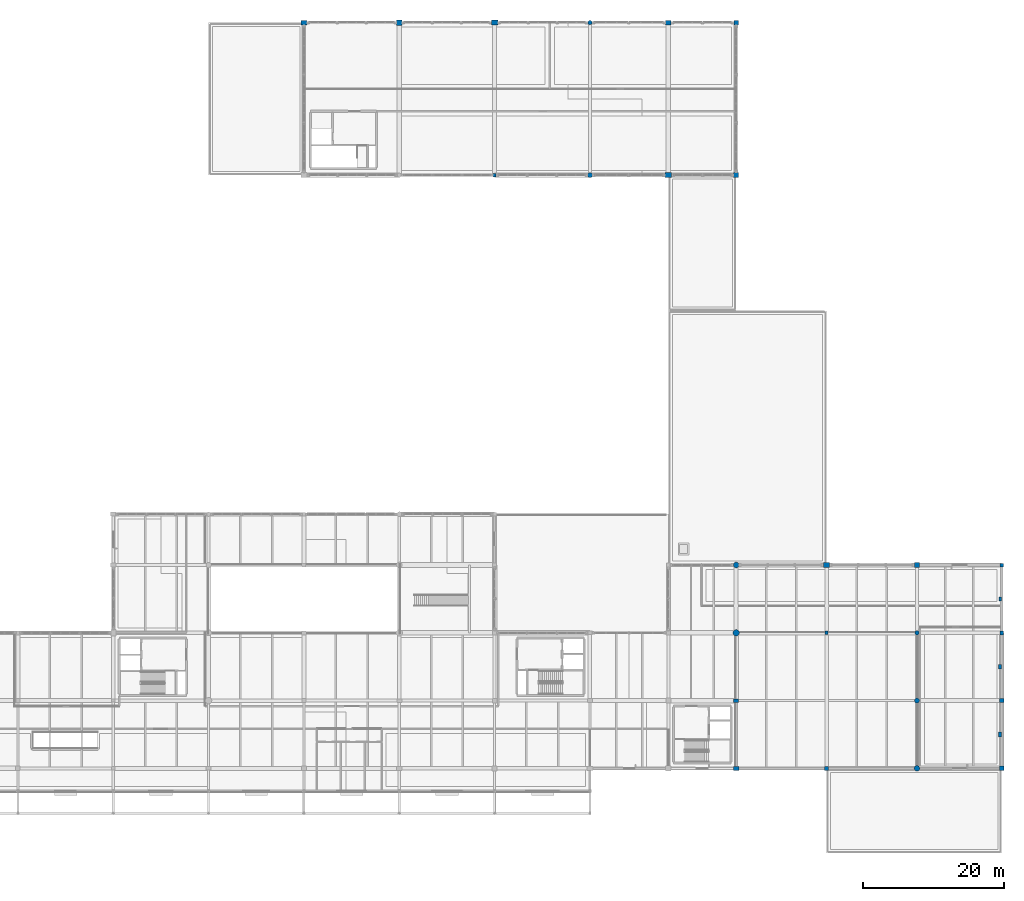
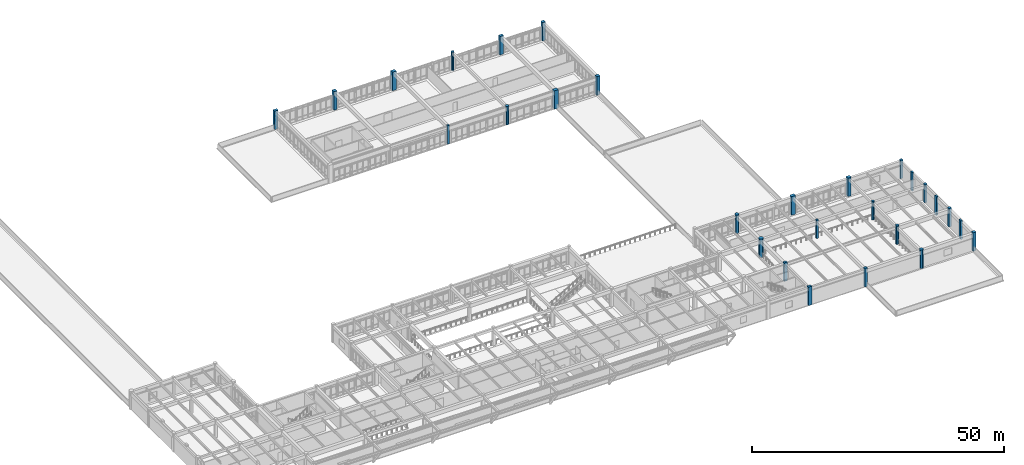
# One storey, part 2 of 109: 28 columns.
"""IFC4 building model written with IfcOpenShell, lengths in metres."""

from ifc_helpers import new_model, si_unit, direction, frame, origin, origin_2d, place, context, subcontext, project, spatial, rectangle, circle, extrude, material, material_profile, profile_set, type_object, element, save


model = new_model("IFC4")

# Units and contexts
model_context = context("Model", 3, precision=1e-05, world=origin(), true_north=direction((0.0, 1.0)))
body_context = subcontext(model_context, "Body", "Model", "MODEL_VIEW")
ifc_project = project(units=[si_unit("LENGTHUNIT", "METRE"), si_unit("AREAUNIT", "SQUARE_METRE"), si_unit("VOLUMEUNIT", "CUBIC_METRE"), si_unit("PLANEANGLEUNIT", "RADIAN"), si_unit("MASSUNIT", "GRAM", prefix="KILO")], contexts=[model_context])

# Site, building, storey
site_placement = place(None, origin())
site = spatial("IfcSite", under=ifc_project, at=site_placement, CompositionType="ELEMENT")
building_placement = place(site_placement, origin())
building = spatial("IfcBuilding", under=site, at=building_placement, Name="Fikremerkos Civic Library", CompositionType="ELEMENT")
storey_placement = place(building_placement, frame((0.0, 0.0, 5.39990234375)))
storey = spatial("IfcBuildingStorey", under=building, at=storey_placement, Name="L01", CompositionType="ELEMENT", Elevation=5.39990234375)

# Columns
ifc_material_1 = material(Name="Concrete C40/50", Category="concrete")
ifc_material_profile_1 = material_profile(ifc_material_1, rectangle(XDim=0.75, YDim=0.75, at=origin_2d()), Name="RC 750x750")
ifc_profile_set_1 = profile_set([ifc_material_profile_1], Name="Concrete C40/50")
column_type_1 = type_object("IfcColumnType", Name="Structural column COL-06 RC 750x750", PredefinedType="COLUMN", material=ifc_profile_set_1)
for number, where, z_axis, x_axis, name in (
    (1, (86.699951171875, 117.60009765625, 0.0), (0.0, 0.0, 1.0), (1.0, 0.0, 0.0), "Column COL-06 L01 8/N"),
    (2, (160.0, 40.800048828125, 0.0), (0.0, 0.0, 1.0), (1.0, 0.0, 0.0), "Column COL-06 L01 14/H"),
):
    element("IfcColumn", number, at=place(storey_placement, frame(where, z_axis=z_axis, x_axis=x_axis)), inside=storey, type_object=column_type_1, Name=name, PredefinedType="COLUMN", context=body_context, shape_type="SweptSolid", body=[
        extrude(rectangle(XDim=0.75, YDim=0.75, at=origin_2d()), origin(), (0.0, 0.0, 1.0), 4.5),
    ])
ifc_material_profile_2 = material_profile(ifc_material_1, rectangle(XDim=0.699951171875, YDim=0.699951171875, at=origin_2d()), Name="RC 700x700")
ifc_profile_set_2 = profile_set([ifc_material_profile_2], Name="Concrete C40/50")
column_type_2 = type_object("IfcColumnType", Name="Structural column COL-07 RC 700x700", PredefinedType="COLUMN", material=ifc_profile_set_2)
column_1_placement = place(storey_placement, frame((134.39990234375, 96.0, 0.0), z_axis=(0.0, 0.0, 1.0), x_axis=(1.0, 0.0, 0.0)))
element("IfcColumn", 3, at=column_1_placement, inside=storey, type_object=column_type_2, Name="Column COL-07 L01 12/M", PredefinedType="COLUMN", context=body_context, shape_type="SweptSolid", body=[
    extrude(rectangle(XDim=0.699951171875, YDim=0.699951171875, at=origin_2d()), origin(), (0.0, 0.0, 1.0), 4.5),
])
ifc_material_profile_3 = material_profile(ifc_material_1, rectangle(XDim=0.64990234375, YDim=0.64990234375, at=origin_2d()), Name="RC 650x650")
ifc_profile_set_3 = profile_set([ifc_material_profile_3], Name="Concrete C40/50")
column_type_3 = type_object("IfcColumnType", Name="Structural column COL-08 RC 650x650", PredefinedType="COLUMN", material=ifc_profile_set_3)
for number, where, z_axis, x_axis, name in (
    (4, (134.39990234375, 117.60009765625, 0.0), (0.0, 0.0, 1.0), (1.0, 0.0, 0.0), "Column COL-08 L01 12/N"),
    (5, (172.0, 12.0, 0.0), (0.0, 0.0, 1.0), (1.0, 0.0, 0.0), "Column COL-08 L01 15/E"),
):
    element("IfcColumn", number, at=place(storey_placement, frame(where, z_axis=z_axis, x_axis=x_axis)), inside=storey, type_object=column_type_3, Name=name, PredefinedType="COLUMN", context=body_context, shape_type="SweptSolid", body=[
        extrude(rectangle(XDim=0.64990234375, YDim=0.64990234375, at=origin_2d()), origin(), (0.0, 0.0, 1.0), 4.5),
    ])
ifc_material_profile_4 = material_profile(ifc_material_1, rectangle(XDim=0.60009765625, YDim=0.60009765625, at=origin_2d()), Name="RC 600x600")
ifc_profile_set_4 = profile_set([ifc_material_profile_4], Name="Concrete C40/50")
column_type_4 = type_object("IfcColumnType", Name="Structural column COL-09 RC 600x600", PredefinedType="COLUMN", material=ifc_profile_set_4)
column_2_placement = place(storey_placement, frame((172.0, 21.60009765625, 0.0), z_axis=(0.0, 0.0, 1.0), x_axis=(1.0, 0.0, 0.0)))
element("IfcColumn", 6, at=column_2_placement, inside=storey, type_object=column_type_4, Name="Column COL-09 L01 15/F", PredefinedType="COLUMN", context=body_context, shape_type="SweptSolid", body=[
    extrude(rectangle(XDim=0.60009765625, YDim=0.60009765625, at=origin_2d()), origin(), (0.0, 0.0, 1.0), 4.5),
])
ifc_material_profile_5 = material_profile(ifc_material_1, rectangle(XDim=0.550048828125, YDim=0.550048828125, at=origin_2d()), Name="RC 550x550")
ifc_profile_set_5 = profile_set([ifc_material_profile_5], Name="Concrete C40/50")
column_type_5 = type_object("IfcColumnType", Name="Structural column COL-10 RC 550x550", PredefinedType="COLUMN", material=ifc_profile_set_5)
for number, where, z_axis, x_axis, name in (
    (7, (147.199951171875, 12.0, 0.0), (0.0, 0.0, 1.0), (1.0, 0.0, 0.0), "Column COL-10 L01 13/E"),
    (8, (172.0, 31.199951171875, 0.0), (0.0, 0.0, 1.0), (1.0, 0.0, 0.0), "Column COL-10 L01 15/G"),
):
    element("IfcColumn", number, at=place(storey_placement, frame(where, z_axis=z_axis, x_axis=x_axis)), inside=storey, type_object=column_type_5, Name=name, PredefinedType="COLUMN", context=body_context, shape_type="SweptSolid", body=[
        extrude(rectangle(XDim=0.550048828125, YDim=0.550048828125, at=origin_2d()), origin(), (0.0, 0.0, 1.0), 4.5),
    ])
ifc_material_profile_6 = material_profile(ifc_material_1, rectangle(XDim=0.5, YDim=0.5, at=origin_2d()), Name="RC 500x500")
ifc_profile_set_6 = profile_set([ifc_material_profile_6], Name="Concrete C40/50")
column_type_6 = type_object("IfcColumnType", Name="Structural column COL-11 RC 500x500", PredefinedType="COLUMN", material=ifc_profile_set_6)
column_3_placement = place(storey_placement, frame((172.0, 40.800048828125, 0.0), z_axis=(0.0, 0.0, 1.0), x_axis=(1.0, 0.0, 0.0)))
element("IfcColumn", 9, at=column_3_placement, inside=storey, type_object=column_type_6, Name="Column COL-11 L01 15/H", PredefinedType="COLUMN", context=body_context, shape_type="SweptSolid", body=[
    extrude(rectangle(XDim=0.5, YDim=0.5, at=origin_2d()), origin(), (0.0, 0.0, 1.0), 4.5),
])
ifc_material_profile_7 = material_profile(ifc_material_1, rectangle(XDim=0.449951171875, YDim=0.449951171875, at=origin_2d()), Name="RC 450x450")
ifc_profile_set_7 = profile_set([ifc_material_profile_7], Name="Concrete C40/50")
column_type_7 = type_object("IfcColumnType", Name="Structural column COL-12 RC 450x450", PredefinedType="COLUMN", material=ifc_profile_set_7)
for number, where, z_axis, x_axis, name in (
    (10, (100.199951171875, 96.0, 0.0), (0.0, 0.0, 1.0), (1.0, 0.0, 0.0), "Column COL-12 L01 9/M"),
    (11, (147.199951171875, 31.199951171875, 0.0), (0.0, 0.0, 1.0), (1.0, 0.0, 0.0), "Column COL-12 L01 13/G"),
):
    element("IfcColumn", number, at=place(storey_placement, frame(where, z_axis=z_axis, x_axis=x_axis)), inside=storey, type_object=column_type_7, Name=name, PredefinedType="COLUMN", context=body_context, shape_type="SweptSolid", body=[
        extrude(rectangle(XDim=0.449951171875, YDim=0.449951171875, at=origin_2d()), origin(), (0.0, 0.0, 1.0), 4.5),
    ])
ifc_material_profile_8 = material_profile(ifc_material_1, rectangle(XDim=0.89990234375, YDim=0.699951171875, at=origin_2d()), Name="RC 900x700")
ifc_profile_set_8 = profile_set([ifc_material_profile_8], Name="Concrete C40/50")
column_type_8 = type_object("IfcColumnType", Name="Structural column COL-13 RC 900x700", PredefinedType="COLUMN", material=ifc_profile_set_8)
for number, where, z_axis, x_axis, name in (
    (12, (100.199951171875, 117.60009765625, 0.0), (0.0, 0.0, 1.0), (1.0, 0.0, 0.0), "Column COL-13 L01 9/N"),
    (13, (124.800048828125, 96.0, 0.0), (0.0, 0.0, 1.0), (1.0, 0.0, 0.0), "Column COL-13 L01 11/M"),
    (14, (147.199951171875, 40.800048828125, 0.0), (0.0, 0.0, 1.0), (1.0, 0.0, 0.0), "Column COL-13 L01 13/H"),
):
    element("IfcColumn", number, at=place(storey_placement, frame(where, z_axis=z_axis, x_axis=x_axis)), inside=storey, type_object=column_type_8, Name=name, PredefinedType="COLUMN", context=body_context, shape_type="SweptSolid", body=[
        extrude(rectangle(XDim=0.89990234375, YDim=0.699951171875, at=origin_2d()), origin(), (0.0, 0.0, 1.0), 4.5),
    ])
ifc_material_profile_9 = material_profile(ifc_material_1, rectangle(XDim=0.800048828125, YDim=0.60009765625, at=origin_2d()), Name="RC 800x600")
ifc_profile_set_9 = profile_set([ifc_material_profile_9], Name="Concrete C40/50")
column_type_9 = type_object("IfcColumnType", Name="Structural column COL-14 RC 800x600", PredefinedType="COLUMN", material=ifc_profile_set_9)
for number, where, z_axis, x_axis, name in (
    (15, (73.199951171875, 117.60009765625, 0.0), (0.0, 0.0, 1.0), (1.0, 0.0, 0.0), "Column COL-14 L01 7/N"),
    (16, (124.800048828125, 117.60009765625, 0.0), (0.0, 0.0, 1.0), (1.0, 0.0, 0.0), "Column COL-14 L01 11/N"),
):
    element("IfcColumn", number, at=place(storey_placement, frame(where, z_axis=z_axis, x_axis=x_axis)), inside=storey, type_object=column_type_9, Name=name, PredefinedType="COLUMN", context=body_context, shape_type="SweptSolid", body=[
        extrude(rectangle(XDim=0.800048828125, YDim=0.60009765625, at=origin_2d()), origin(), (0.0, 0.0, 1.0), 4.5),
    ])
ifc_material_profile_10 = material_profile(ifc_material_1, rectangle(XDim=0.75, YDim=0.550048828125, at=origin_2d()), Name="RC 750x550")
ifc_profile_set_10 = profile_set([ifc_material_profile_10], Name="Concrete C40/50")
column_type_10 = type_object("IfcColumnType", Name="Structural column COL-15 RC 750x550", PredefinedType="COLUMN", material=ifc_profile_set_10)
column_4_placement = place(storey_placement, frame((134.39990234375, 12.0, 0.0), z_axis=(0.0, 0.0, 1.0), x_axis=(1.0, 0.0, 0.0)))
element("IfcColumn", 17, at=column_4_placement, inside=storey, type_object=column_type_10, Name="Column COL-15 L01 12/E", PredefinedType="COLUMN", context=body_context, shape_type="SweptSolid", body=[
    extrude(rectangle(XDim=0.75, YDim=0.550048828125, at=origin_2d()), origin(), (0.0, 0.0, 1.0), 4.5),
])
ifc_material_profile_11 = material_profile(ifc_material_1, rectangle(XDim=0.699951171875, YDim=0.5, at=origin_2d()), Name="RC 700x500")
ifc_profile_set_11 = profile_set([ifc_material_profile_11], Name="Concrete C40/50")
column_type_11 = type_object("IfcColumnType", Name="Structural column COL-16 RC 700x500", PredefinedType="COLUMN", material=ifc_profile_set_11)
column_5_placement = place(storey_placement, frame((134.39990234375, 21.60009765625, 0.0), z_axis=(0.0, 0.0, 1.0), x_axis=(1.0, 0.0, 0.0)))
element("IfcColumn", 18, at=column_5_placement, inside=storey, type_object=column_type_11, Name="Column COL-16 L01 12/F", PredefinedType="COLUMN", context=body_context, shape_type="SweptSolid", body=[
    extrude(rectangle(XDim=0.699951171875, YDim=0.5, at=origin_2d()), origin(), (0.0, 0.0, 1.0), 4.5),
])
ifc_material_2 = material(Name="Concrete C45/55", Category="concrete")
ifc_material_profile_12 = material_profile(ifc_material_2, circle(Radius=0.449951171875, at=origin_2d()), Name="RC D900")
ifc_profile_set_12 = profile_set([ifc_material_profile_12], Name="Concrete C45/55")
column_type_12 = type_object("IfcColumnType", Name="Structural column COL-17 RC D900", PredefinedType="COLUMN", material=ifc_profile_set_12)
column_6_placement = place(storey_placement, frame((134.39990234375, 31.199951171875, 0.0), z_axis=(0.0, 0.0, 1.0), x_axis=(1.0, 0.0, 0.0)))
element("IfcColumn", 19, at=column_6_placement, inside=storey, type_object=column_type_12, Name="Column COL-17 L01 12/G", PredefinedType="COLUMN", context=body_context, shape_type="SweptSolid", body=[
    extrude(circle(Radius=0.449951171875, at=origin_2d()), origin(), (0.0, 0.0, 1.0), 4.5),
])
ifc_material_profile_13 = material_profile(ifc_material_1, circle(Radius=0.39990234375, at=origin_2d()), Name="RC D800")
ifc_profile_set_13 = profile_set([ifc_material_profile_13], Name="Concrete C40/50")
column_type_13 = type_object("IfcColumnType", Name="Structural column COL-18 RC D800", PredefinedType="COLUMN", material=ifc_profile_set_13)
for number, where, z_axis, x_axis, name in (
    (20, (134.39990234375, 40.800048828125, 0.0), (0.0, 0.0, 1.0), (1.0, 0.0, 0.0), "Column COL-18 L01 12/H"),
    (21, (160.0, 12.0, 0.0), (0.0, 0.0, 1.0), (1.0, 0.0, 0.0), "Column COL-18 L01 14/E"),
):
    element("IfcColumn", number, at=place(storey_placement, frame(where, z_axis=z_axis, x_axis=x_axis)), inside=storey, type_object=column_type_13, Name=name, PredefinedType="COLUMN", context=body_context, shape_type="SweptSolid", body=[
        extrude(circle(Radius=0.39990234375, at=origin_2d()), origin(), (0.0, 0.0, 1.0), 4.5),
    ])
ifc_material_profile_14 = material_profile(ifc_material_1, circle(Radius=0.35009765625, at=origin_2d()), Name="RC D700")
ifc_profile_set_14 = profile_set([ifc_material_profile_14], Name="Concrete C40/50")
column_type_14 = type_object("IfcColumnType", Name="Structural column COL-19 RC D700", PredefinedType="COLUMN", material=ifc_profile_set_14)
for number, where, z_axis, x_axis, name in (
    (22, (113.699951171875, 96.0, 0.0), (0.0, 0.0, 1.0), (1.0, 0.0, 0.0), "Column COL-19 L01 10/M"),
    (23, (160.0, 21.60009765625, 0.0), (0.0, 0.0, 1.0), (1.0, 0.0, 0.0), "Column COL-19 L01 14/F"),
):
    element("IfcColumn", number, at=place(storey_placement, frame(where, z_axis=z_axis, x_axis=x_axis)), inside=storey, type_object=column_type_14, Name=name, PredefinedType="COLUMN", context=body_context, shape_type="SweptSolid", body=[
        extrude(circle(Radius=0.35009765625, at=origin_2d()), origin(), (0.0, 0.0, 1.0), 4.5),
    ])
ifc_material_profile_15 = material_profile(ifc_material_1, circle(Radius=0.300048828125, at=origin_2d()), Name="RC D600")
ifc_profile_set_15 = profile_set([ifc_material_profile_15], Name="Concrete C40/50")
column_type_15 = type_object("IfcColumnType", Name="Structural column COL-20 RC D600", PredefinedType="COLUMN", material=ifc_profile_set_15)
for number, where, z_axis, x_axis, name in (
    (24, (113.699951171875, 117.60009765625, 0.0), (0.0, 0.0, 1.0), (1.0, 0.0, 0.0), "Column COL-20 L01 10/N"),
    (25, (160.0, 31.199951171875, 0.0), (0.0, 0.0, 1.0), (1.0, 0.0, 0.0), "Column COL-20 L01 14/G"),
):
    element("IfcColumn", number, at=place(storey_placement, frame(where, z_axis=z_axis, x_axis=x_axis)), inside=storey, type_object=column_type_15, Name=name, PredefinedType="COLUMN", context=body_context, shape_type="SweptSolid", body=[
        extrude(circle(Radius=0.300048828125, at=origin_2d()), origin(), (0.0, 0.0, 1.0), 4.5),
    ])
ifc_material_profile_16 = material_profile(ifc_material_1, rectangle(XDim=0.39990234375, YDim=0.75, at=origin_2d()), Name="RC 400x750")
ifc_profile_set_16 = profile_set([ifc_material_profile_16], Name="Concrete C40/50")
column_type_16 = type_object("IfcColumnType", Name="Wall pilaster PIL-02 RC 400x750", PredefinedType="PILASTER", material=ifc_profile_set_16)
column_7_placement = place(storey_placement, frame((171.780029296875, 16.800048828125, 0.0), z_axis=(0.0, 0.0, 1.0), x_axis=(1.0, 0.0, 0.0)))
element("IfcColumn", 26, at=column_7_placement, inside=storey, type_object=column_type_16, Name="Wall pilaster PIL-02 L01 E2", PredefinedType="PILASTER", context=body_context, shape_type="SweptSolid", body=[
    extrude(rectangle(XDim=0.39990234375, YDim=0.75, at=origin_2d()), origin(), (0.0, 0.0, 1.0), 4.5),
])
ifc_material_profile_17 = material_profile(ifc_material_1, rectangle(XDim=0.39990234375, YDim=0.64990234375, at=origin_2d()), Name="RC 400x650")
ifc_profile_set_17 = profile_set([ifc_material_profile_17], Name="Concrete C40/50")
column_type_17 = type_object("IfcColumnType", Name="Wall pilaster PIL-03 RC 400x650", PredefinedType="PILASTER", material=ifc_profile_set_17)
column_8_placement = place(storey_placement, frame((171.780029296875, 26.39990234375, 0.0), z_axis=(0.0, 0.0, 1.0), x_axis=(1.0, 0.0, 0.0)))
element("IfcColumn", 27, at=column_8_placement, inside=storey, type_object=column_type_17, Name="Wall pilaster PIL-03 L01 E3", PredefinedType="PILASTER", context=body_context, shape_type="SweptSolid", body=[
    extrude(rectangle(XDim=0.39990234375, YDim=0.64990234375, at=origin_2d()), origin(), (0.0, 0.0, 1.0), 4.5),
])
ifc_material_profile_18 = material_profile(ifc_material_1, rectangle(XDim=0.35009765625, YDim=0.60009765625, at=origin_2d()), Name="RC 350x600")
ifc_profile_set_18 = profile_set([ifc_material_profile_18], Name="Concrete C40/50")
column_type_18 = type_object("IfcColumnType", Name="Wall pilaster PIL-04 RC 350x600", PredefinedType="PILASTER", material=ifc_profile_set_18)
column_9_placement = place(storey_placement, frame((171.780029296875, 36.0, 0.0), z_axis=(0.0, 0.0, 1.0), x_axis=(1.0, 0.0, 0.0)))
element("IfcColumn", 28, at=column_9_placement, inside=storey, type_object=column_type_18, Name="Wall pilaster PIL-04 L01 E4", PredefinedType="PILASTER", context=body_context, shape_type="SweptSolid", body=[
    extrude(rectangle(XDim=0.35009765625, YDim=0.60009765625, at=origin_2d()), origin(), (0.0, 0.0, 1.0), 4.5),
])

save(model, "model.ifc")
